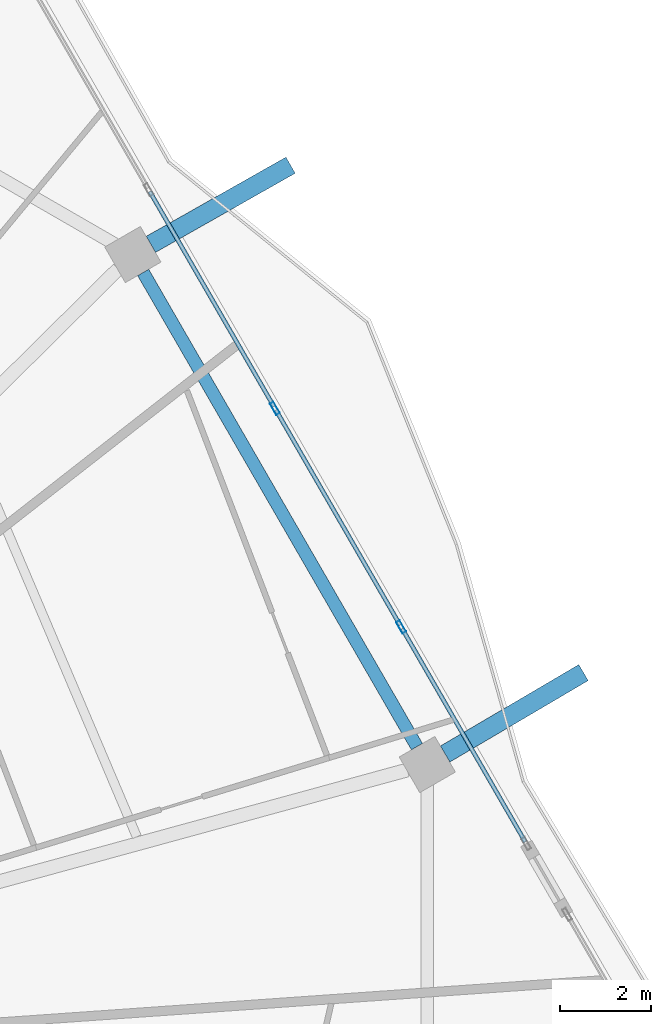
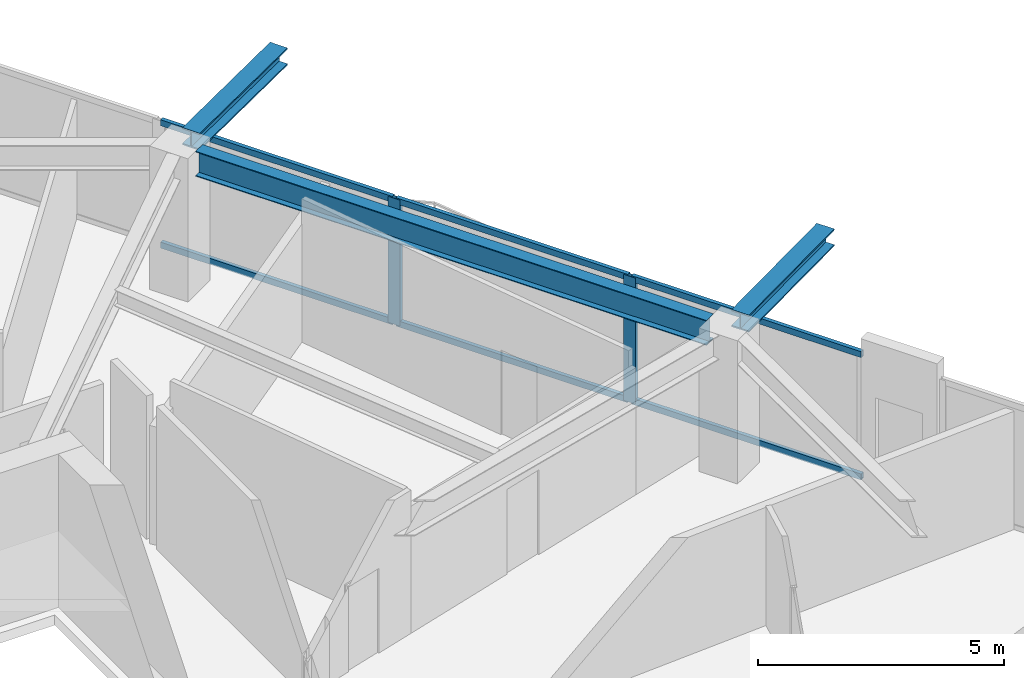
# One storey, part 15 of 26: 8 members, 3 beams, 1 element without a shape of its own.
"""IFC4 building model written with IfcOpenShell, lengths in metres."""

from ifc_helpers import new_model, si_unit, direction, frame, origin, origin_2d, place, context, subcontext, project, spatial, hollow_rectangle, i_section, extrude, material, material_profile, profile_set, type_object, element, aggregate, save


model = new_model("IFC4")

# Units and contexts
model_context = context("Model", 3, precision=1e-05, world=origin(), true_north=direction((0.0, 1.0)))
body_context = subcontext(model_context, "Body", "Model", "MODEL_VIEW")
ifc_project = project(units=[si_unit("LENGTHUNIT", "METRE"), si_unit("AREAUNIT", "SQUARE_METRE"), si_unit("VOLUMEUNIT", "CUBIC_METRE"), si_unit("PLANEANGLEUNIT", "RADIAN"), si_unit("MASSUNIT", "GRAM", prefix="KILO")], contexts=[model_context])

# Site, building, storey
site_placement = place(None, origin())
site = spatial("IfcSite", under=ifc_project, at=site_placement, CompositionType="ELEMENT")
building_placement = place(site_placement, origin())
building = spatial("IfcBuilding", under=site, at=building_placement, Name="Zuhravey Tower", CompositionType="ELEMENT")
storey_placement = place(building_placement, frame((0.0, 0.0, 250.199951171875)))
storey = spatial("IfcBuildingStorey", under=building, at=storey_placement, Name="L63", CompositionType="ELEMENT", Elevation=250.199951171875)

# Curtain wall, members
ifc_material_1 = material(Name="Thermally broken anodised aluminium", Category="aluminium")
curtain_wall_type = type_object("IfcCurtainWallType", Name="Zone 3-4 High-Rise Curtain Wall CW4", PredefinedType="NOTDEFINED", material=ifc_material_1)
curtain_wall_placement = place(storey_placement, origin())
curtain_wall = element("IfcCurtainWall", 1, at=curtain_wall_placement, inside=storey, type_object=curtain_wall_type, Name="L63 CW4 CW-L63-F1-1", PredefinedType="NOTDEFINED")
ifc_material_2 = material(Name="Anodised aluminium", Category="aluminium")
ifc_material_profile_1 = material_profile(ifc_material_2, hollow_rectangle(XDim=0.090087890625, YDim=0.284912109375, WallThickness=0.0048828125, at=origin_2d()), Name="ALU-RHS-90x285x5")
ifc_profile_set_1 = profile_set([ifc_material_profile_1], Name="Anodised aluminium")
member_type_1 = type_object("IfcMemberType", Name="Curtain-Wall Mullion 90x180", PredefinedType="MULLION", material=ifc_profile_set_1)
member_1_placement = place(storey_placement, frame((57.152099609375, 46.490478515625, 0.0), z_axis=(0.0, 0.0, 1.0), x_axis=(0.866025688098, 0.499999507553, 0.0)))
member_1 = element("IfcMember", 2, at=member_1_placement, type_object=member_type_1, Name="CW4 mullion 3", PredefinedType="MULLION", context=body_context, shape_type="SweptSolid", body=[
    extrude(hollow_rectangle(XDim=0.090087890625, YDim=0.284912109375, WallThickness=0.0048828125, at=origin_2d()), origin(), (0.0, 0.0, 1.0), 3.1220703125),
])
member_2_placement = place(storey_placement, frame((59.912109375, 41.71044921875, 0.0), z_axis=(0.0, 0.0, 1.0), x_axis=(0.866025688098, 0.499999507553, 0.0)))
member_2 = element("IfcMember", 3, at=member_2_placement, type_object=member_type_1, Name="CW4 mullion 4", PredefinedType="MULLION", context=body_context, shape_type="SweptSolid", body=[
    extrude(hollow_rectangle(XDim=0.090087890625, YDim=0.284912109375, WallThickness=0.0048828125, at=origin_2d()), origin(), (0.0, 0.0, 1.0), 3.1220703125),
])
ifc_material_profile_2 = material_profile(ifc_material_2, hollow_rectangle(XDim=0.090087890625, YDim=0.14990234375, WallThickness=0.0048828125, at=origin_2d()), Name="ALU-RHS-90x150x5")
ifc_profile_set_2 = profile_set([ifc_material_profile_2], Name="Anodised aluminium")
member_type_2 = type_object("IfcMemberType", Name="Curtain-Wall Transom 90x150", PredefinedType="USERDEFINED", material=ifc_profile_set_2)
member_3_placement = place(storey_placement, frame((54.414794921875, 51.23193359375, 0.045166015625), z_axis=(0.49998841519, -0.866032092174, 0.0), x_axis=(0.866032092174, 0.49998841519, 0.0)))
member_3 = element("IfcMember", 4, at=member_3_placement, type_object=member_type_2, Name="CW4 transom 2.1", ObjectType="TRANSOM", PredefinedType="USERDEFINED", context=body_context, shape_type="SweptSolid", body=[
    extrude(hollow_rectangle(XDim=0.090087890625, YDim=0.14990234375, WallThickness=0.0048828125, at=origin_2d()), origin(), (0.0, 0.0, 1.0), 5.429931640625),
])
member_4_placement = place(storey_placement, frame((54.414794921875, 51.23193359375, 3.0771484375), z_axis=(0.49998841519, -0.866032092174, 0.0), x_axis=(0.866032092174, 0.49998841519, 0.0)))
member_4 = element("IfcMember", 5, at=member_4_placement, type_object=member_type_2, Name="CW4 transom 2.2", ObjectType="TRANSOM", PredefinedType="USERDEFINED", context=body_context, shape_type="SweptSolid", body=[
    extrude(hollow_rectangle(XDim=0.090087890625, YDim=0.14990234375, WallThickness=0.0048828125, at=origin_2d()), origin(), (0.0, 0.0, 1.0), 5.429931640625),
])
member_5_placement = place(storey_placement, frame((57.174560546875, 46.45166015625, 0.045166015625), z_axis=(0.49998841519, -0.866032092174, 0.0), x_axis=(0.866032092174, 0.49998841519, 0.0)))
member_5 = element("IfcMember", 6, at=member_5_placement, type_object=member_type_2, Name="CW4 transom 3.1", ObjectType="TRANSOM", PredefinedType="USERDEFINED", context=body_context, shape_type="SweptSolid", body=[
    extrude(hollow_rectangle(XDim=0.090087890625, YDim=0.14990234375, WallThickness=0.0048828125, at=origin_2d()), origin(), (0.0, 0.0, 1.0), 5.429931640625),
])
member_6_placement = place(storey_placement, frame((57.174560546875, 46.45166015625, 3.0771484375), z_axis=(0.49998841519, -0.866032092174, 0.0), x_axis=(0.866032092174, 0.49998841519, 0.0)))
member_6 = element("IfcMember", 7, at=member_6_placement, type_object=member_type_2, Name="CW4 transom 3.2", ObjectType="TRANSOM", PredefinedType="USERDEFINED", context=body_context, shape_type="SweptSolid", body=[
    extrude(hollow_rectangle(XDim=0.090087890625, YDim=0.14990234375, WallThickness=0.0048828125, at=origin_2d()), origin(), (0.0, 0.0, 1.0), 5.429931640625),
])
member_7_placement = place(storey_placement, frame((59.9345703125, 41.67138671875, 0.045166015625), z_axis=(0.500001105423, -0.866024765567, 0.0), x_axis=(0.866024765567, 0.500001105423, 0.0)))
member_7 = element("IfcMember", 8, at=member_7_placement, type_object=member_type_2, Name="CW4 transom 4.1", ObjectType="TRANSOM", PredefinedType="USERDEFINED", context=body_context, shape_type="SweptSolid", body=[
    extrude(hollow_rectangle(XDim=0.090087890625, YDim=0.14990234375, WallThickness=0.0048828125, at=origin_2d()), origin(), (0.0, 0.0, 1.0), 5.384765625),
])
member_8_placement = place(storey_placement, frame((59.9345703125, 41.67138671875, 3.0771484375), z_axis=(0.500001105423, -0.866024765567, 0.0), x_axis=(0.866024765567, 0.500001105423, 0.0)))
member_8 = element("IfcMember", 9, at=member_8_placement, type_object=member_type_2, Name="CW4 transom 4.2", ObjectType="TRANSOM", PredefinedType="USERDEFINED", context=body_context, shape_type="SweptSolid", body=[
    extrude(hollow_rectangle(XDim=0.090087890625, YDim=0.14990234375, WallThickness=0.0048828125, at=origin_2d()), origin(), (0.0, 0.0, 1.0), 5.384765625),
])
aggregate(curtain_wall, [member_1, member_2, member_3, member_4, member_5, member_6, member_7, member_8])

# Beams
ifc_material_3 = material(Name="Steel SM460", Category="steel")
ifc_material_profile_3 = material_profile(ifc_material_3, i_section(OverallWidth=0.406982421875, OverallDepth=0.427978515625, WebThickness=0.02001953125, FlangeThickness=0.034912109375, at=origin_2d()), Name="H-428x407x20x35")
ifc_profile_set_3 = profile_set([ifc_material_profile_3], Name="Steel SM460")
beam_type_1 = type_object("IfcBeamType", Name="Exoskeleton Node Tie Beam H428x407", PredefinedType="BEAM", material=ifc_profile_set_3)
beam_1_placement = place(storey_placement, frame((60.875732421875, 38.92919921875, 3.3359375), z_axis=(0.861848405049, 0.507165975509, 0.0), x_axis=(-0.507165975509, 0.861848405049, 0.0)))
element("IfcBeam", 10, at=beam_1_placement, inside=storey, type_object=beam_type_1, Name="L63 Exoskeleton Node Tie NT1-01", PredefinedType="BEAM", context=body_context, shape_type="SweptSolid", body=[
    extrude(i_section(OverallWidth=0.406982421875, OverallDepth=0.427978515625, WebThickness=0.02001953125, FlangeThickness=0.034912109375, at=origin_2d()), origin(), (0.0, 0.0, 1.0), 3.51123046875),
])
beam_2_placement = place(storey_placement, frame((54.438720703125, 50.078369140625, 3.3359375), z_axis=(0.870149411826, 0.492787987982, 0.0), x_axis=(-0.492787987982, 0.870149411826, 0.0)))
element("IfcBeam", 11, at=beam_2_placement, inside=storey, type_object=beam_type_1, Name="L63 Exoskeleton Node Tie NT1-02", PredefinedType="BEAM", context=body_context, shape_type="SweptSolid", body=[
    extrude(i_section(OverallWidth=0.406982421875, OverallDepth=0.427978515625, WebThickness=0.02001953125, FlangeThickness=0.034912109375, at=origin_2d()), origin(), (0.0, 0.0, 1.0), 3.510986328125),
])
ifc_material_4 = material(Name="Steel SM355", Category="steel")
ifc_material_profile_4 = material_profile(ifc_material_4, i_section(OverallWidth=0.280029296875, OverallDepth=0.6201171875, WebThickness=0.011962890625, FlangeThickness=0.02001953125, at=origin_2d()), Name="H-620x280x12x20")
ifc_profile_set_4 = profile_set([ifc_material_profile_4], Name="Steel SM355")
beam_type_2 = type_object("IfcBeamType", Name="Perimeter Ring Beam H620x280", PredefinedType="BEAM", material=ifc_profile_set_4)
beam_3_placement = place(storey_placement, frame((60.258056640625, 39.09130859375, 3.239990234375), z_axis=(-0.500017744717, 0.866015158625, 0.0), x_axis=(-0.866015158625, -0.500017744717, 0.0)))
element("IfcBeam", 12, at=beam_3_placement, inside=storey, type_object=beam_type_2, Name="L63 PB3 BM-L63-PB-01", PredefinedType="BEAM", context=body_context, shape_type="SweptSolid", body=[
    extrude(i_section(OverallWidth=0.280029296875, OverallDepth=0.6201171875, WebThickness=0.011962890625, FlangeThickness=0.02001953125, at=origin_2d()), origin(), (0.0, 0.0, 1.0), 11.9755859375),
])

save(model, "model.ifc")
